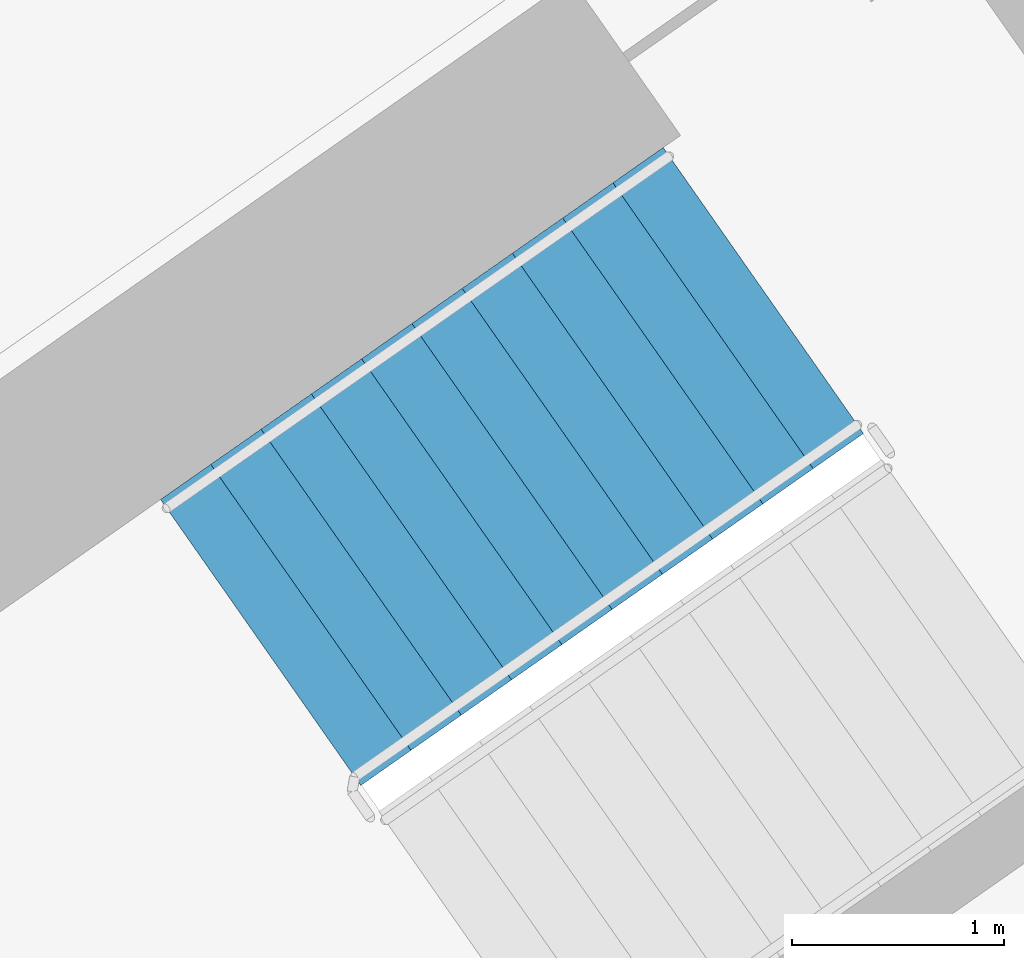
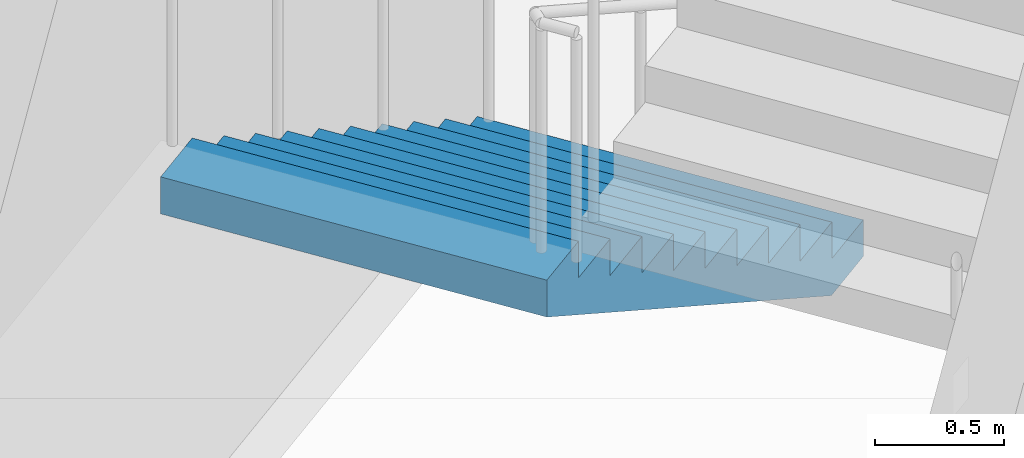
# One storey, part 13 of 28: 1 stair flight, 1 element without a shape of its own.
"""IFC4 building model written with IfcOpenShell, lengths in metres."""

from ifc_helpers import new_model, si_unit, direction, frame, origin, place, context, subcontext, project, spatial, faceted_brep, material, type_object, element, aggregate, save


model = new_model("IFC4")

# Units and contexts
model_context = context("Model", 3, precision=1e-05, world=origin(), true_north=direction((0.0, 1.0)))
body_context = subcontext(model_context, "Body", "Model", "MODEL_VIEW")
ifc_project = project(units=[si_unit("LENGTHUNIT", "METRE"), si_unit("AREAUNIT", "SQUARE_METRE"), si_unit("VOLUMEUNIT", "CUBIC_METRE"), si_unit("PLANEANGLEUNIT", "RADIAN"), si_unit("MASSUNIT", "GRAM", prefix="KILO")], contexts=[model_context])

# Site, building, storey
site_placement = place(None, origin())
site = spatial("IfcSite", under=ifc_project, at=site_placement, CompositionType="ELEMENT")
building_placement = place(site_placement, origin())
building = spatial("IfcBuilding", under=site, at=building_placement, Name="Qamariyya Broadcast Tower", CompositionType="ELEMENT")
storey_placement = place(building_placement, frame((0.0, 0.0, 140.5)))
storey = spatial("IfcBuildingStorey", under=building, at=storey_placement, Name="L32", CompositionType="ELEMENT", Elevation=140.5)

# Stair, stair flight
ifc_material = material(Name="Concrete C50/60", Category="concrete")
stair_type = type_object("IfcStairType", Name="Exit stair 22 risers of 173 mm", PredefinedType="HALF_TURN_STAIR", material=ifc_material)
stair_placement = place(storey_placement, origin())
stair = element("IfcStair", 1, at=stair_placement, inside=storey, type_object=stair_type, Name="L32 Stair E2", PredefinedType="HALF_TURN_STAIR")
stair_flight_type = type_object("IfcStairFlightType", Name="Exit stair flight 11 risers of 173 mm", PredefinedType="STRAIGHT", material=ifc_material)
stair_flight_placement = place(storey_placement, frame((40.558837890625, -47.685302734375, 0.0), z_axis=(0.0, 0.0, 1.0), x_axis=(-0.819152044289, -0.573576436351, 0.0)))
stair_flight = element("IfcStairFlight", 2, at=stair_flight_placement, type_object=stair_flight_type, Name="ST-E2 flight 1", NumberOfRisers=11, NumberOfTreads=10, PredefinedType="STRAIGHT", RiserHeight=0.172727273, TreadLength=0.29, context=body_context, shape_type="Brep", body=[
    faceted_brep([(0.0, 0.824951171875, 0.0), (0.0, 0.824951171875, 0.172607421875), (0.2900390625, 0.824951171875, 0.172607421875), (0.2900390625, 0.824951171875, 0.345458984375), (0.580078125, 0.824951171875, 0.345458984375), (0.580078125, 0.824951171875, 0.51806640625), (0.8701171875, 0.824951171875, 0.51806640625), (0.8701171875, 0.824951171875, 0.69091796875), (1.159912109375, 0.824951171875, 0.69091796875), (1.159912109375, 0.824951171875, 0.863525390625), (1.449951171875, 0.824951171875, 0.863525390625), (1.449951171875, 0.824951171875, 1.036376953125), (1.739990234375, 0.824951171875, 1.036376953125), (1.739990234375, 0.824951171875, 1.208984375), (2.030029296875, 0.824951171875, 1.208984375), (2.030029296875, 0.824951171875, 1.3818359375), (2.320068359375, 0.824951171875, 1.3818359375), (2.320068359375, 0.824951171875, 1.554443359375), (2.610107421875, 0.824951171875, 1.554443359375), (2.610107421875, 0.824951171875, 1.727294921875), (2.89990234375, 0.824951171875, 1.727294921875), (2.89990234375, 0.824951171875, 1.552734375), (0.29296875, 0.824951171875, 0.0), (0.29296875, -0.824951171875, 0.0), (2.89990234375, -0.824951171875, 1.552734375), (2.89990234375, -0.824951171875, 1.727294921875), (2.610107421875, -0.824951171875, 1.727294921875), (2.610107421875, -0.824951171875, 1.554443359375), (2.320068359375, -0.824951171875, 1.554443359375), (2.320068359375, -0.824951171875, 1.3818359375), (2.030029296875, -0.824951171875, 1.3818359375), (2.030029296875, -0.824951171875, 1.208984375), (1.739990234375, -0.824951171875, 1.208984375), (1.739990234375, -0.824951171875, 1.036376953125), (1.449951171875, -0.824951171875, 1.036376953125), (1.449951171875, -0.824951171875, 0.863525390625), (1.159912109375, -0.824951171875, 0.863525390625), (1.159912109375, -0.824951171875, 0.69091796875), (0.8701171875, -0.824951171875, 0.69091796875), (0.8701171875, -0.824951171875, 0.51806640625), (0.580078125, -0.824951171875, 0.51806640625), (0.580078125, -0.824951171875, 0.345458984375), (0.2900390625, -0.824951171875, 0.345458984375), (0.2900390625, -0.824951171875, 0.172607421875), (0.0, -0.824951171875, 0.172607421875), (0.0, -0.824951171875, 0.0), (0.0, 0.10009765625, 0.0), (0.0, 0.086669921875, 0.0), (0.0, 0.0732421875, 0.0), (0.0, 0.06005859375, 0.0), (0.0, 0.046630859375, 0.0), (0.0, 0.033447265625, 0.0), (0.0, 0.02001953125, 0.0), (0.0, 0.006591796875, 0.0), (0.0, -0.006591796875, 0.0), (0.0, -0.02001953125, 0.0), (0.0, -0.033447265625, 0.0), (0.0, -0.046630859375, 0.0), (0.0, -0.06005859375, 0.0), (0.0, -0.0732421875, 0.0), (0.0, -0.086669921875, 0.0), (0.0, -0.10009765625, 0.0), (0.0, -0.10009765625, 0.172607421875), (0.0, -0.086669921875, 0.172607421875), (0.0, -0.0732421875, 0.172607421875), (0.0, -0.06005859375, 0.172607421875), (0.0, -0.046630859375, 0.172607421875), (0.0, -0.033447265625, 0.172607421875), (0.0, -0.02001953125, 0.172607421875), (0.0, -0.006591796875, 0.172607421875), (0.0, 0.006591796875, 0.172607421875), (0.0, 0.02001953125, 0.172607421875), (0.0, 0.033447265625, 0.172607421875), (0.0, 0.046630859375, 0.172607421875), (0.0, 0.06005859375, 0.172607421875), (0.0, 0.0732421875, 0.172607421875), (0.0, 0.086669921875, 0.172607421875), (0.0, 0.10009765625, 0.172607421875), (0.2900390625, -0.10009765625, 0.172607421875), (0.2900390625, -0.086669921875, 0.172607421875), (0.2900390625, -0.0732421875, 0.172607421875), (0.2900390625, -0.06005859375, 0.172607421875), (0.2900390625, -0.046630859375, 0.172607421875), (0.2900390625, -0.033447265625, 0.172607421875), (0.2900390625, -0.02001953125, 0.172607421875), (0.2900390625, -0.006591796875, 0.172607421875), (0.2900390625, 0.006591796875, 0.172607421875), (0.2900390625, 0.02001953125, 0.172607421875), (0.2900390625, 0.033447265625, 0.172607421875), (0.2900390625, 0.046630859375, 0.172607421875), (0.2900390625, 0.06005859375, 0.172607421875), (0.2900390625, 0.0732421875, 0.172607421875), (0.2900390625, 0.086669921875, 0.172607421875), (0.2900390625, 0.10009765625, 0.172607421875), (0.2900390625, -0.10009765625, 0.345458984375), (0.2900390625, -0.086669921875, 0.345458984375), (0.2900390625, -0.0732421875, 0.345458984375), (0.2900390625, -0.06005859375, 0.345458984375), (0.2900390625, -0.046630859375, 0.345458984375), (0.2900390625, -0.033447265625, 0.345458984375), (0.2900390625, -0.02001953125, 0.345458984375), (0.2900390625, -0.006591796875, 0.345458984375), (0.2900390625, 0.006591796875, 0.345458984375), (0.2900390625, 0.02001953125, 0.345458984375), (0.2900390625, 0.033447265625, 0.345458984375), (0.2900390625, 0.046630859375, 0.345458984375), (0.2900390625, 0.06005859375, 0.345458984375), (0.2900390625, 0.0732421875, 0.345458984375), (0.2900390625, 0.086669921875, 0.345458984375), (0.2900390625, 0.10009765625, 0.345458984375), (0.580078125, -0.10009765625, 0.345458984375), (0.580078125, -0.086669921875, 0.345458984375), (0.580078125, -0.0732421875, 0.345458984375), (0.580078125, -0.06005859375, 0.345458984375), (0.580078125, -0.046630859375, 0.345458984375), (0.580078125, -0.033447265625, 0.345458984375), (0.580078125, -0.02001953125, 0.345458984375), (0.580078125, -0.006591796875, 0.345458984375), (0.580078125, 0.006591796875, 0.345458984375), (0.580078125, 0.02001953125, 0.345458984375), (0.580078125, 0.033447265625, 0.345458984375), (0.580078125, 0.046630859375, 0.345458984375), (0.580078125, 0.06005859375, 0.345458984375), (0.580078125, 0.0732421875, 0.345458984375), (0.580078125, 0.086669921875, 0.345458984375), (0.580078125, 0.10009765625, 0.345458984375), (0.580078125, -0.10009765625, 0.51806640625), (0.580078125, -0.086669921875, 0.51806640625), (0.580078125, -0.0732421875, 0.51806640625), (0.580078125, -0.06005859375, 0.51806640625), (0.580078125, -0.046630859375, 0.51806640625), (0.580078125, -0.033447265625, 0.51806640625), (0.580078125, -0.02001953125, 0.51806640625), (0.580078125, -0.006591796875, 0.51806640625), (0.580078125, 0.006591796875, 0.51806640625), (0.580078125, 0.02001953125, 0.51806640625), (0.580078125, 0.033447265625, 0.51806640625), (0.580078125, 0.046630859375, 0.51806640625), (0.580078125, 0.06005859375, 0.51806640625), (0.580078125, 0.0732421875, 0.51806640625), (0.580078125, 0.086669921875, 0.51806640625), (0.580078125, 0.10009765625, 0.51806640625), (0.8701171875, -0.10009765625, 0.51806640625), (0.8701171875, -0.086669921875, 0.51806640625), (0.8701171875, -0.0732421875, 0.51806640625), (0.8701171875, -0.06005859375, 0.51806640625), (0.8701171875, -0.046630859375, 0.51806640625), (0.8701171875, -0.033447265625, 0.51806640625), (0.8701171875, -0.02001953125, 0.51806640625), (0.8701171875, -0.006591796875, 0.51806640625), (0.8701171875, 0.006591796875, 0.51806640625), (0.8701171875, 0.02001953125, 0.51806640625), (0.8701171875, 0.033447265625, 0.51806640625), (0.8701171875, 0.046630859375, 0.51806640625), (0.8701171875, 0.06005859375, 0.51806640625), (0.8701171875, 0.0732421875, 0.51806640625), (0.8701171875, 0.086669921875, 0.51806640625), (0.8701171875, 0.10009765625, 0.51806640625), (0.8701171875, -0.10009765625, 0.69091796875), (0.8701171875, -0.086669921875, 0.69091796875), (0.8701171875, -0.0732421875, 0.69091796875), (0.8701171875, -0.06005859375, 0.69091796875), (0.8701171875, -0.046630859375, 0.69091796875), (0.8701171875, -0.033447265625, 0.69091796875), (0.8701171875, -0.02001953125, 0.69091796875), (0.8701171875, -0.006591796875, 0.69091796875), (0.8701171875, 0.006591796875, 0.69091796875), (0.8701171875, 0.02001953125, 0.69091796875), (0.8701171875, 0.033447265625, 0.69091796875), (0.8701171875, 0.046630859375, 0.69091796875), (0.8701171875, 0.06005859375, 0.69091796875), (0.8701171875, 0.0732421875, 0.69091796875), (0.8701171875, 0.086669921875, 0.69091796875), (0.8701171875, 0.10009765625, 0.69091796875), (1.159912109375, -0.10009765625, 0.69091796875), (1.159912109375, -0.086669921875, 0.69091796875), (1.159912109375, -0.0732421875, 0.69091796875), (1.159912109375, -0.06005859375, 0.69091796875), (1.159912109375, -0.046630859375, 0.69091796875), (1.159912109375, -0.033447265625, 0.69091796875), (1.159912109375, -0.02001953125, 0.69091796875), (1.159912109375, -0.006591796875, 0.69091796875), (1.159912109375, 0.006591796875, 0.69091796875), (1.159912109375, 0.02001953125, 0.69091796875), (1.159912109375, 0.033447265625, 0.69091796875), (1.159912109375, 0.046630859375, 0.69091796875), (1.159912109375, 0.06005859375, 0.69091796875), (1.159912109375, 0.0732421875, 0.69091796875), (1.159912109375, 0.086669921875, 0.69091796875), (1.159912109375, 0.10009765625, 0.69091796875), (1.159912109375, -0.10009765625, 0.863525390625), (1.159912109375, -0.086669921875, 0.863525390625), (1.159912109375, -0.0732421875, 0.863525390625), (1.159912109375, -0.06005859375, 0.863525390625), (1.159912109375, -0.046630859375, 0.863525390625), (1.159912109375, -0.033447265625, 0.863525390625), (1.159912109375, -0.02001953125, 0.863525390625), (1.159912109375, -0.006591796875, 0.863525390625), (1.159912109375, 0.006591796875, 0.863525390625), (1.159912109375, 0.02001953125, 0.863525390625), (1.159912109375, 0.033447265625, 0.863525390625), (1.159912109375, 0.046630859375, 0.863525390625), (1.159912109375, 0.06005859375, 0.863525390625), (1.159912109375, 0.0732421875, 0.863525390625), (1.159912109375, 0.086669921875, 0.863525390625), (1.159912109375, 0.10009765625, 0.863525390625), (1.449951171875, -0.10009765625, 0.863525390625), (1.449951171875, -0.086669921875, 0.863525390625), (1.449951171875, -0.0732421875, 0.863525390625), (1.449951171875, -0.06005859375, 0.863525390625), (1.449951171875, -0.046630859375, 0.863525390625), (1.449951171875, -0.033447265625, 0.863525390625), (1.449951171875, -0.02001953125, 0.863525390625), (1.449951171875, -0.006591796875, 0.863525390625), (1.449951171875, 0.006591796875, 0.863525390625), (1.449951171875, 0.02001953125, 0.863525390625), (1.449951171875, 0.033447265625, 0.863525390625), (1.449951171875, 0.046630859375, 0.863525390625), (1.449951171875, 0.06005859375, 0.863525390625), (1.449951171875, 0.0732421875, 0.863525390625), (1.449951171875, 0.086669921875, 0.863525390625), (1.449951171875, 0.10009765625, 0.863525390625), (1.449951171875, -0.10009765625, 1.036376953125), (1.449951171875, -0.086669921875, 1.036376953125), (1.449951171875, -0.0732421875, 1.036376953125), (1.449951171875, -0.06005859375, 1.036376953125), (1.449951171875, -0.046630859375, 1.036376953125), (1.449951171875, -0.033447265625, 1.036376953125), (1.449951171875, -0.02001953125, 1.036376953125), (1.449951171875, -0.006591796875, 1.036376953125), (1.449951171875, 0.006591796875, 1.036376953125), (1.449951171875, 0.02001953125, 1.036376953125), (1.449951171875, 0.033447265625, 1.036376953125), (1.449951171875, 0.046630859375, 1.036376953125), (1.449951171875, 0.06005859375, 1.036376953125), (1.449951171875, 0.0732421875, 1.036376953125), (1.449951171875, 0.086669921875, 1.036376953125), (1.449951171875, 0.10009765625, 1.036376953125), (1.739990234375, -0.10009765625, 1.036376953125), (1.739990234375, -0.086669921875, 1.036376953125), (1.739990234375, -0.0732421875, 1.036376953125), (1.739990234375, -0.06005859375, 1.036376953125), (1.739990234375, -0.046630859375, 1.036376953125), (1.739990234375, -0.033447265625, 1.036376953125), (1.739990234375, -0.02001953125, 1.036376953125), (1.739990234375, -0.006591796875, 1.036376953125), (1.739990234375, 0.006591796875, 1.036376953125), (1.739990234375, 0.02001953125, 1.036376953125), (1.739990234375, 0.033447265625, 1.036376953125), (1.739990234375, 0.046630859375, 1.036376953125), (1.739990234375, 0.06005859375, 1.036376953125), (1.739990234375, 0.0732421875, 1.036376953125), (1.739990234375, 0.086669921875, 1.036376953125), (1.739990234375, 0.10009765625, 1.036376953125), (1.739990234375, -0.10009765625, 1.208984375), (1.739990234375, -0.086669921875, 1.208984375), (1.739990234375, -0.0732421875, 1.208984375), (1.739990234375, -0.06005859375, 1.208984375), (1.739990234375, -0.046630859375, 1.208984375), (1.739990234375, -0.033447265625, 1.208984375), (1.739990234375, -0.02001953125, 1.208984375), (1.739990234375, -0.006591796875, 1.208984375), (1.739990234375, 0.006591796875, 1.208984375), (1.739990234375, 0.02001953125, 1.208984375), (1.739990234375, 0.033447265625, 1.208984375), (1.739990234375, 0.046630859375, 1.208984375), (1.739990234375, 0.06005859375, 1.208984375), (1.739990234375, 0.0732421875, 1.208984375), (1.739990234375, 0.086669921875, 1.208984375), (1.739990234375, 0.10009765625, 1.208984375), (2.030029296875, -0.10009765625, 1.208984375), (2.030029296875, -0.086669921875, 1.208984375), (2.030029296875, -0.0732421875, 1.208984375), (2.030029296875, -0.06005859375, 1.208984375), (2.030029296875, -0.046630859375, 1.208984375), (2.030029296875, -0.033447265625, 1.208984375), (2.030029296875, -0.02001953125, 1.208984375), (2.030029296875, -0.006591796875, 1.208984375), (2.030029296875, 0.006591796875, 1.208984375), (2.030029296875, 0.02001953125, 1.208984375), (2.030029296875, 0.033447265625, 1.208984375), (2.030029296875, 0.046630859375, 1.208984375), (2.030029296875, 0.06005859375, 1.208984375), (2.030029296875, 0.0732421875, 1.208984375), (2.030029296875, 0.086669921875, 1.208984375), (2.030029296875, 0.10009765625, 1.208984375), (2.030029296875, -0.10009765625, 1.3818359375), (2.030029296875, -0.086669921875, 1.3818359375), (2.030029296875, -0.0732421875, 1.3818359375), (2.030029296875, -0.06005859375, 1.3818359375), (2.030029296875, -0.046630859375, 1.3818359375), (2.030029296875, -0.033447265625, 1.3818359375), (2.030029296875, -0.02001953125, 1.3818359375), (2.030029296875, -0.006591796875, 1.3818359375), (2.030029296875, 0.006591796875, 1.3818359375), (2.030029296875, 0.02001953125, 1.3818359375), (2.030029296875, 0.033447265625, 1.3818359375), (2.030029296875, 0.046630859375, 1.3818359375), (2.030029296875, 0.06005859375, 1.3818359375), (2.030029296875, 0.0732421875, 1.3818359375), (2.030029296875, 0.086669921875, 1.3818359375), (2.030029296875, 0.10009765625, 1.3818359375), (2.320068359375, -0.10009765625, 1.3818359375), (2.320068359375, -0.086669921875, 1.3818359375), (2.320068359375, -0.0732421875, 1.3818359375), (2.320068359375, -0.06005859375, 1.3818359375), (2.320068359375, -0.046630859375, 1.3818359375), (2.320068359375, -0.033447265625, 1.3818359375), (2.320068359375, -0.02001953125, 1.3818359375), (2.320068359375, -0.006591796875, 1.3818359375), (2.320068359375, 0.006591796875, 1.3818359375), (2.320068359375, 0.02001953125, 1.3818359375), (2.320068359375, 0.033447265625, 1.3818359375), (2.320068359375, 0.046630859375, 1.3818359375), (2.320068359375, 0.06005859375, 1.3818359375), (2.320068359375, 0.0732421875, 1.3818359375), (2.320068359375, 0.086669921875, 1.3818359375), (2.320068359375, 0.10009765625, 1.3818359375), (2.320068359375, -0.10009765625, 1.554443359375), (2.320068359375, -0.086669921875, 1.554443359375), (2.320068359375, -0.0732421875, 1.554443359375), (2.320068359375, -0.06005859375, 1.554443359375), (2.320068359375, -0.046630859375, 1.554443359375), (2.320068359375, -0.033447265625, 1.554443359375), (2.320068359375, -0.02001953125, 1.554443359375), (2.320068359375, -0.006591796875, 1.554443359375), (2.320068359375, 0.006591796875, 1.554443359375), (2.320068359375, 0.02001953125, 1.554443359375), (2.320068359375, 0.033447265625, 1.554443359375), (2.320068359375, 0.046630859375, 1.554443359375), (2.320068359375, 0.06005859375, 1.554443359375), (2.320068359375, 0.0732421875, 1.554443359375), (2.320068359375, 0.086669921875, 1.554443359375), (2.320068359375, 0.10009765625, 1.554443359375), (2.610107421875, -0.10009765625, 1.554443359375), (2.610107421875, -0.086669921875, 1.554443359375), (2.610107421875, -0.0732421875, 1.554443359375), (2.610107421875, -0.06005859375, 1.554443359375), (2.610107421875, -0.046630859375, 1.554443359375), (2.610107421875, -0.033447265625, 1.554443359375), (2.610107421875, -0.02001953125, 1.554443359375), (2.610107421875, -0.006591796875, 1.554443359375), (2.610107421875, 0.006591796875, 1.554443359375), (2.610107421875, 0.02001953125, 1.554443359375), (2.610107421875, 0.033447265625, 1.554443359375), (2.610107421875, 0.046630859375, 1.554443359375), (2.610107421875, 0.06005859375, 1.554443359375), (2.610107421875, 0.0732421875, 1.554443359375), (2.610107421875, 0.086669921875, 1.554443359375), (2.610107421875, 0.10009765625, 1.554443359375), (2.610107421875, -0.10009765625, 1.727294921875), (2.610107421875, -0.086669921875, 1.727294921875), (2.610107421875, -0.0732421875, 1.727294921875), (2.610107421875, -0.06005859375, 1.727294921875), (2.610107421875, -0.046630859375, 1.727294921875), (2.610107421875, -0.033447265625, 1.727294921875), (2.610107421875, -0.02001953125, 1.727294921875), (2.610107421875, -0.006591796875, 1.727294921875), (2.610107421875, 0.006591796875, 1.727294921875), (2.610107421875, 0.02001953125, 1.727294921875), (2.610107421875, 0.033447265625, 1.727294921875), (2.610107421875, 0.046630859375, 1.727294921875), (2.610107421875, 0.06005859375, 1.727294921875), (2.610107421875, 0.0732421875, 1.727294921875), (2.610107421875, 0.086669921875, 1.727294921875), (2.610107421875, 0.10009765625, 1.727294921875), (2.89990234375, -0.10009765625, 1.727294921875), (2.89990234375, -0.086669921875, 1.727294921875), (2.89990234375, -0.0732421875, 1.727294921875), (2.89990234375, -0.06005859375, 1.727294921875), (2.89990234375, -0.046630859375, 1.727294921875), (2.89990234375, -0.033447265625, 1.727294921875), (2.89990234375, -0.02001953125, 1.727294921875), (2.89990234375, -0.006591796875, 1.727294921875), (2.89990234375, 0.006591796875, 1.727294921875), (2.89990234375, 0.02001953125, 1.727294921875), (2.89990234375, 0.033447265625, 1.727294921875), (2.89990234375, 0.046630859375, 1.727294921875), (2.89990234375, 0.06005859375, 1.727294921875), (2.89990234375, 0.0732421875, 1.727294921875), (2.89990234375, 0.086669921875, 1.727294921875), (2.89990234375, 0.10009765625, 1.727294921875), (2.89990234375, -0.10009765625, 1.552734375), (2.89990234375, -0.086669921875, 1.552734375), (2.89990234375, -0.0732421875, 1.552734375), (2.89990234375, -0.06005859375, 1.552734375), (2.89990234375, -0.046630859375, 1.552734375), (2.89990234375, -0.033447265625, 1.552734375), (2.89990234375, -0.02001953125, 1.552734375), (2.89990234375, -0.006591796875, 1.552734375), (2.89990234375, 0.006591796875, 1.552734375), (2.89990234375, 0.02001953125, 1.552734375), (2.89990234375, 0.033447265625, 1.552734375), (2.89990234375, 0.046630859375, 1.552734375), (2.89990234375, 0.06005859375, 1.552734375), (2.89990234375, 0.0732421875, 1.552734375), (2.89990234375, 0.086669921875, 1.552734375), (2.89990234375, 0.10009765625, 1.552734375), (0.29296875, -0.10009765625, 0.0), (0.29296875, -0.086669921875, 0.0), (0.29296875, -0.0732421875, 0.0), (0.29296875, -0.06005859375, 0.0), (0.29296875, -0.046630859375, 0.0), (0.29296875, -0.033447265625, 0.0), (0.29296875, -0.02001953125, 0.0), (0.29296875, -0.006591796875, 0.0), (0.29296875, 0.006591796875, 0.0), (0.29296875, 0.02001953125, 0.0), (0.29296875, 0.033447265625, 0.0), (0.29296875, 0.046630859375, 0.0), (0.29296875, 0.06005859375, 0.0), (0.29296875, 0.0732421875, 0.0), (0.29296875, 0.086669921875, 0.0), (0.29296875, 0.10009765625, 0.0)], [[[0, 1, 2, 3, 4, 5, 6, 7, 8, 9, 10, 11, 12, 13, 14, 15, 16, 17, 18, 19, 20, 21, 22]], [[23, 24, 25, 26, 27, 28, 29, 30, 31, 32, 33, 34, 35, 36, 37, 38, 39, 40, 41, 42, 43, 44, 45]], [[0, 46, 47, 48, 49, 50, 51, 52, 53, 54, 55, 56, 57, 58, 59, 60, 61, 45, 44, 62, 63, 64, 65, 66, 67, 68, 69, 70, 71, 72, 73, 74, 75, 76, 77, 1]], [[1, 77, 76, 75, 74, 73, 72, 71, 70, 69, 68, 67, 66, 65, 64, 63, 62, 44, 43, 78, 79, 80, 81, 82, 83, 84, 85, 86, 87, 88, 89, 90, 91, 92, 93, 2]], [[2, 93, 92, 91, 90, 89, 88, 87, 86, 85, 84, 83, 82, 81, 80, 79, 78, 43, 42, 94, 95, 96, 97, 98, 99, 100, 101, 102, 103, 104, 105, 106, 107, 108, 109, 3]], [[3, 109, 108, 107, 106, 105, 104, 103, 102, 101, 100, 99, 98, 97, 96, 95, 94, 42, 41, 110, 111, 112, 113, 114, 115, 116, 117, 118, 119, 120, 121, 122, 123, 124, 125, 4]], [[4, 125, 124, 123, 122, 121, 120, 119, 118, 117, 116, 115, 114, 113, 112, 111, 110, 41, 40, 126, 127, 128, 129, 130, 131, 132, 133, 134, 135, 136, 137, 138, 139, 140, 141, 5]], [[5, 141, 140, 139, 138, 137, 136, 135, 134, 133, 132, 131, 130, 129, 128, 127, 126, 40, 39, 142, 143, 144, 145, 146, 147, 148, 149, 150, 151, 152, 153, 154, 155, 156, 157, 6]], [[6, 157, 156, 155, 154, 153, 152, 151, 150, 149, 148, 147, 146, 145, 144, 143, 142, 39, 38, 158, 159, 160, 161, 162, 163, 164, 165, 166, 167, 168, 169, 170, 171, 172, 173, 7]], [[7, 173, 172, 171, 170, 169, 168, 167, 166, 165, 164, 163, 162, 161, 160, 159, 158, 38, 37, 174, 175, 176, 177, 178, 179, 180, 181, 182, 183, 184, 185, 186, 187, 188, 189, 8]], [[8, 189, 188, 187, 186, 185, 184, 183, 182, 181, 180, 179, 178, 177, 176, 175, 174, 37, 36, 190, 191, 192, 193, 194, 195, 196, 197, 198, 199, 200, 201, 202, 203, 204, 205, 9]], [[9, 205, 204, 203, 202, 201, 200, 199, 198, 197, 196, 195, 194, 193, 192, 191, 190, 36, 35, 206, 207, 208, 209, 210, 211, 212, 213, 214, 215, 216, 217, 218, 219, 220, 221, 10]], [[10, 221, 220, 219, 218, 217, 216, 215, 214, 213, 212, 211, 210, 209, 208, 207, 206, 35, 34, 222, 223, 224, 225, 226, 227, 228, 229, 230, 231, 232, 233, 234, 235, 236, 237, 11]], [[11, 237, 236, 235, 234, 233, 232, 231, 230, 229, 228, 227, 226, 225, 224, 223, 222, 34, 33, 238, 239, 240, 241, 242, 243, 244, 245, 246, 247, 248, 249, 250, 251, 252, 253, 12]], [[12, 253, 252, 251, 250, 249, 248, 247, 246, 245, 244, 243, 242, 241, 240, 239, 238, 33, 32, 254, 255, 256, 257, 258, 259, 260, 261, 262, 263, 264, 265, 266, 267, 268, 269, 13]], [[13, 269, 268, 267, 266, 265, 264, 263, 262, 261, 260, 259, 258, 257, 256, 255, 254, 32, 31, 270, 271, 272, 273, 274, 275, 276, 277, 278, 279, 280, 281, 282, 283, 284, 285, 14]], [[14, 285, 284, 283, 282, 281, 280, 279, 278, 277, 276, 275, 274, 273, 272, 271, 270, 31, 30, 286, 287, 288, 289, 290, 291, 292, 293, 294, 295, 296, 297, 298, 299, 300, 301, 15]], [[15, 301, 300, 299, 298, 297, 296, 295, 294, 293, 292, 291, 290, 289, 288, 287, 286, 30, 29, 302, 303, 304, 305, 306, 307, 308, 309, 310, 311, 312, 313, 314, 315, 316, 317, 16]], [[16, 317, 316, 315, 314, 313, 312, 311, 310, 309, 308, 307, 306, 305, 304, 303, 302, 29, 28, 318, 319, 320, 321, 322, 323, 324, 325, 326, 327, 328, 329, 330, 331, 332, 333, 17]], [[17, 333, 332, 331, 330, 329, 328, 327, 326, 325, 324, 323, 322, 321, 320, 319, 318, 28, 27, 334, 335, 336, 337, 338, 339, 340, 341, 342, 343, 344, 345, 346, 347, 348, 349, 18]], [[18, 349, 348, 347, 346, 345, 344, 343, 342, 341, 340, 339, 338, 337, 336, 335, 334, 27, 26, 350, 351, 352, 353, 354, 355, 356, 357, 358, 359, 360, 361, 362, 363, 364, 365, 19]], [[19, 365, 364, 363, 362, 361, 360, 359, 358, 357, 356, 355, 354, 353, 352, 351, 350, 26, 25, 366, 367, 368, 369, 370, 371, 372, 373, 374, 375, 376, 377, 378, 379, 380, 381, 20]], [[20, 381, 380, 379, 378, 377, 376, 375, 374, 373, 372, 371, 370, 369, 368, 367, 366, 25, 24, 382, 383, 384, 385, 386, 387, 388, 389, 390, 391, 392, 393, 394, 395, 396, 397, 21]], [[21, 397, 396, 395, 394, 393, 392, 391, 390, 389, 388, 387, 386, 385, 384, 383, 382, 24, 23, 398, 399, 400, 401, 402, 403, 404, 405, 406, 407, 408, 409, 410, 411, 412, 413, 22]], [[22, 413, 412, 411, 410, 409, 408, 407, 406, 405, 404, 403, 402, 401, 400, 399, 398, 23, 45, 61, 60, 59, 58, 57, 56, 55, 54, 53, 52, 51, 50, 49, 48, 47, 46, 0]]]),
])
aggregate(stair, [stair_flight])

save(model, "model.ifc")
